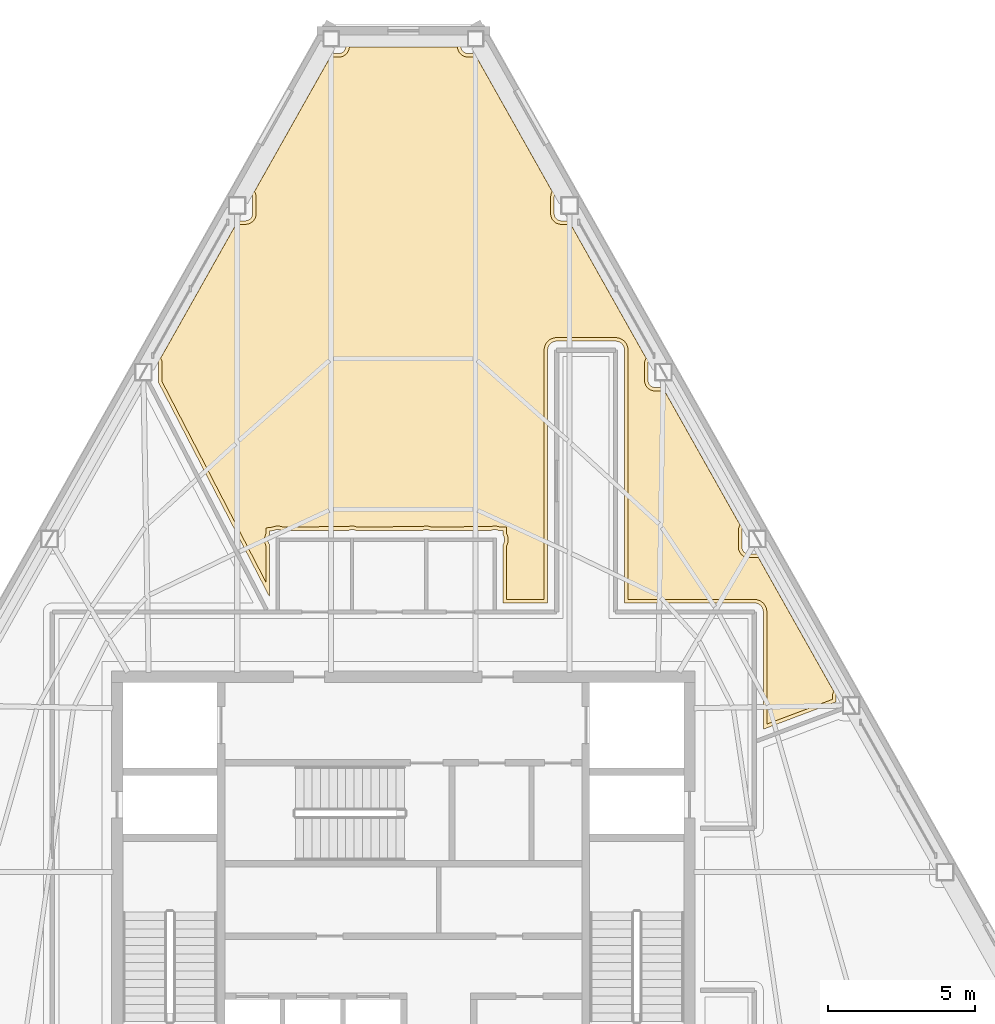
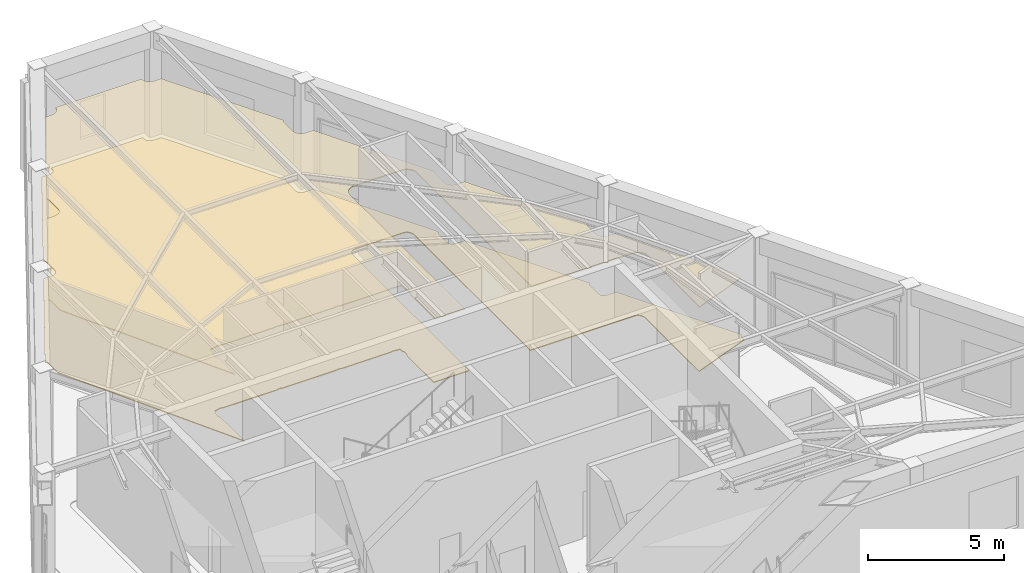
# One storey, part 15 of 15: 2 coverings.
"""IFC4 building model written with IfcOpenShell, lengths in metres."""

from ifc_helpers import new_model, si_unit, direction, frame, origin, place, context, subcontext, project, spatial, polyline, outline, extrude, material, layer, layer_set, type_object, element, save


model = new_model("IFC4")

# Units and contexts
model_context = context("Model", 3, precision=1e-05, world=origin(), true_north=direction((0.0, 1.0)))
body_context = subcontext(model_context, "Body", "Model", "MODEL_VIEW")
ifc_project = project(units=[si_unit("LENGTHUNIT", "METRE"), si_unit("AREAUNIT", "SQUARE_METRE"), si_unit("VOLUMEUNIT", "CUBIC_METRE"), si_unit("PLANEANGLEUNIT", "RADIAN"), si_unit("MASSUNIT", "GRAM", prefix="KILO")], contexts=[model_context])

# Site, building, storey
site_placement = place(None, origin())
site = spatial("IfcSite", under=ifc_project, at=site_placement, CompositionType="ELEMENT")
building_placement = place(site_placement, origin())
building = spatial("IfcBuilding", under=site, at=building_placement, Name="Kavelnor Concourse Tower", CompositionType="ELEMENT")
storey_placement = place(building_placement, frame((0.0, 0.0, 304.949951171875)))
storey = spatial("IfcBuildingStorey", under=building, at=storey_placement, Name="L77", CompositionType="ELEMENT", Elevation=304.949951171875)

# Coverings
ifc_material_1 = material(Name="Mineral fibre acoustic ceiling tile")
ifc_layer_1 = layer(ifc_material_1, 0.0400390625, Name="Mineral fibre acoustic ceiling tile")
ifc_layer_set_1 = layer_set([ifc_layer_1], Name="Mineral fibre acoustic ceiling tile")
covering_type_1 = type_object("IfcCoveringType", Name="COV-CEILING-ACOUSTIC", PredefinedType="CEILING", material=ifc_layer_set_1)
covering_1_placement = place(storey_placement, frame((0.0, 0.0, 2.75)))
element("IfcCovering", 1, at=covering_1_placement, inside=storey, type_object=covering_type_1, Name="L77 Suspended Acoustic Ceiling", PredefinedType="CEILING", context=body_context, shape_type="SweptSolid", body=[
    extrude(outline(polyline([(32.323486328125, 38.142333984375), (32.65087890625, 38.142333984375), (32.677734375, 38.143798828125), (32.712890625, 38.14892578125), (32.7470703125, 38.157470703125), (32.780517578125, 38.16943359375), (32.8125, 38.1845703125), (32.8427734375, 38.20263671875), (32.87109375, 38.223876953125), (32.897216796875, 38.24755859375), (32.921142578125, 38.273681640625), (32.942138671875, 38.30224609375), (32.96044921875, 38.33251953125), (32.9755859375, 38.364501953125), (32.9873046875, 38.397705078125), (32.99609375, 38.43212890625), (33.001220703125, 38.467041015625), (33.00244140625, 38.494140625), (33.00244140625, 39.07080078125), (33.001220703125, 39.09765625), (32.99609375, 39.1328125), (32.9873046875, 39.1669921875), (32.9755859375, 39.2001953125), (32.96044921875, 39.232421875), (32.948486328125, 39.252197265625), (35.51953125, 43.8173828125), (35.81591796875, 43.8173828125), (35.8427734375, 43.818603515625), (35.877685546875, 43.82373046875), (35.912109375, 43.83251953125), (35.9453125, 43.84423828125), (35.977294921875, 43.859375), (36.0078125, 43.877685546875), (36.0361328125, 43.898681640625), (36.062255859375, 43.922607421875), (36.086181640625, 43.94873046875), (36.107177734375, 43.97705078125), (36.12548828125, 44.00732421875), (36.140380859375, 44.039306640625), (36.15234375, 44.07275390625), (36.160888671875, 44.10693359375), (36.166259765625, 44.14208984375), (36.1669921875, 44.1572265625), (39.8330078125, 44.1572265625), (39.833740234375, 44.14208984375), (39.839111328125, 44.10693359375), (39.84765625, 44.07275390625), (39.859619140625, 44.039306640625), (39.87451171875, 44.00732421875), (39.892822265625, 43.97705078125), (39.913818359375, 43.94873046875), (39.937744140625, 43.922607421875), (39.9638671875, 43.898681640625), (39.9921875, 43.877685546875), (40.022705078125, 43.859375), (40.0546875, 43.84423828125), (40.087890625, 43.83251953125), (40.122314453125, 43.82373046875), (40.1572265625, 43.818603515625), (40.18408203125, 43.8173828125), (40.48046875, 43.8173828125), (43.051513671875, 39.252197265625), (43.03955078125, 39.232177734375), (43.0244140625, 39.2001953125), (43.0126953125, 39.1669921875), (43.00390625, 39.132568359375), (42.998779296875, 39.09765625), (42.99755859375, 39.070556640625), (42.99755859375, 38.493896484375), (42.998779296875, 38.467041015625), (43.00390625, 38.431884765625), (43.0126953125, 38.397705078125), (43.0244140625, 38.364501953125), (43.03955078125, 38.33251953125), (43.057861328125, 38.302001953125), (43.078857421875, 38.273681640625), (43.102783203125, 38.24755859375), (43.12890625, 38.2236328125), (43.1572265625, 38.20263671875), (43.1875, 38.184326171875), (43.219482421875, 38.169189453125), (43.2529296875, 38.157470703125), (43.287109375, 38.148681640625), (43.322265625, 38.1435546875), (43.34912109375, 38.142333984375), (43.676513671875, 38.142333984375), (46.236572265625, 33.59716796875), (46.224609375, 33.577392578125), (46.20947265625, 33.54541015625), (46.197509765625, 33.511962890625), (46.18896484375, 33.477783203125), (46.18359375, 33.442626953125), (46.182373046875, 33.415771484375), (46.182373046875, 32.839111328125), (46.18359375, 32.81201171875), (46.18896484375, 32.777099609375), (46.197509765625, 32.742919921875), (46.20947265625, 32.70947265625), (46.224609375, 32.677490234375), (46.24267578125, 32.647216796875), (46.263916015625, 32.618896484375), (46.28759765625, 32.592529296875), (46.313720703125, 32.56884765625), (46.34228515625, 32.547607421875), (46.37255859375, 32.529541015625), (46.404541015625, 32.514404296875), (46.437744140625, 32.50244140625), (46.47216796875, 32.493896484375), (46.507080078125, 32.48876953125), (46.5341796875, 32.4873046875), (46.861572265625, 32.4873046875), (49.42138671875, 27.942138671875), (49.409423828125, 27.92236328125), (49.394287109375, 27.890380859375), (49.382568359375, 27.85693359375), (49.373779296875, 27.82275390625), (49.36865234375, 27.78759765625), (49.367431640625, 27.7607421875), (49.367431640625, 27.18408203125), (49.36865234375, 27.156982421875), (49.373779296875, 27.1220703125), (49.382568359375, 27.087890625), (49.394287109375, 27.054443359375), (49.409423828125, 27.0224609375), (49.427734375, 26.9921875), (49.44873046875, 26.9638671875), (49.47265625, 26.9375), (49.498779296875, 26.913818359375), (49.527099609375, 26.892578125), (49.5576171875, 26.87451171875), (49.589599609375, 26.859375), (49.622802734375, 26.847412109375), (49.656982421875, 26.8388671875), (49.692138671875, 26.833740234375), (49.718994140625, 26.83251953125), (50.046630859375, 26.83251953125), (52.6064453125, 22.287353515625), (52.594482421875, 22.267333984375), (52.579345703125, 22.2353515625), (52.5673828125, 22.2021484375), (52.558837890625, 22.167724609375), (52.5537109375, 22.1328125), (52.552490234375, 22.105712890625), (52.552490234375, 22.02001953125), (50.33251953125, 21.1845703125), (50.33251953125, 24.998291015625), (50.330810546875, 25.031494140625), (50.32470703125, 25.072509765625), (50.314697265625, 25.11279296875), (50.30078125, 25.15185546875), (50.282958984375, 25.189453125), (50.26171875, 25.22509765625), (50.23681640625, 25.25830078125), (50.208984375, 25.2890625), (50.17822265625, 25.31689453125), (50.14501953125, 25.341552734375), (50.109375, 25.363037109375), (50.07177734375, 25.380615234375), (50.03271484375, 25.394775390625), (49.992431640625, 25.40478515625), (49.951416015625, 25.410888671875), (49.918212890625, 25.41259765625), (45.62255859375, 25.41259765625), (45.62255859375, 33.882080078125), (45.620849609375, 33.915283203125), (45.61474609375, 33.956298828125), (45.604736328125, 33.99658203125), (45.5908203125, 34.03564453125), (45.572998046875, 34.0732421875), (45.551513671875, 34.10888671875), (45.52685546875, 34.14208984375), (45.4990234375, 34.1728515625), (45.46826171875, 34.20068359375), (45.43505859375, 34.225341796875), (45.3994140625, 34.246826171875), (45.36181640625, 34.264404296875), (45.32275390625, 34.278564453125), (45.282470703125, 34.28857421875), (45.241455078125, 34.294677734375), (45.208251953125, 34.29638671875), (43.191650390625, 34.29638671875), (43.158447265625, 34.294677734375), (43.117431640625, 34.28857421875), (43.0771484375, 34.278564453125), (43.0380859375, 34.264404296875), (43.00048828125, 34.246826171875), (42.965087890625, 34.225341796875), (42.931640625, 34.20068359375), (42.90087890625, 34.1728515625), (42.873046875, 34.14208984375), (42.848388671875, 34.10888671875), (42.826904296875, 34.0732421875), (42.809326171875, 34.03564453125), (42.79541015625, 33.99658203125), (42.78515625, 33.956298828125), (42.779052734375, 33.915283203125), (42.777587890625, 33.882080078125), (42.777587890625, 25.41259765625), (41.5048828125, 25.41259765625), (41.5048828125, 27.24462890625), (41.507568359375, 27.248779296875), (41.524658203125, 27.284912109375), (41.5380859375, 27.322265625), (41.547607421875, 27.36083984375), (41.553466796875, 27.400390625), (41.555419921875, 27.43994140625), (41.553466796875, 27.479736328125), (41.547607421875, 27.51904296875), (41.5380859375, 27.5576171875), (41.524658203125, 27.59521484375), (41.507568359375, 27.631103515625), (41.49951171875, 27.644287109375), (41.498779296875, 27.8798828125), (41.239990234375, 27.8798828125), (41.2177734375, 27.887939453125), (41.17919921875, 27.897705078125), (41.1396484375, 27.903564453125), (41.10009765625, 27.905517578125), (41.060302734375, 27.903564453125), (41.02099609375, 27.897705078125), (40.982421875, 27.887939453125), (40.96337890625, 27.881103515625), (38.919921875, 27.8798828125), (38.897705078125, 27.887939453125), (38.859130859375, 27.897705078125), (38.819580078125, 27.903564453125), (38.780029296875, 27.905517578125), (38.740234375, 27.903564453125), (38.700927734375, 27.897705078125), (38.662353515625, 27.887939453125), (38.643310546875, 27.881103515625), (36.39990234375, 27.8798828125), (36.377685546875, 27.887939453125), (36.339111328125, 27.897705078125), (36.2998046875, 27.903564453125), (36.260009765625, 27.905517578125), (36.22021484375, 27.903564453125), (36.180908203125, 27.897705078125), (36.142333984375, 27.887939453125), (36.123291015625, 27.881103515625), (33.8798828125, 27.8798828125), (33.857666015625, 27.887939453125), (33.819091796875, 27.897705078125), (33.77978515625, 27.903564453125), (33.739990234375, 27.905517578125), (33.7001953125, 27.903564453125), (33.660888671875, 27.897705078125), (33.622314453125, 27.887939453125), (33.5849609375, 27.87451171875), (33.573486328125, 27.869140625), (33.340087890625, 27.839599609375), (33.340087890625, 27.643798828125), (33.33251953125, 27.631103515625), (33.3154296875, 27.59521484375), (33.302001953125, 27.5576171875), (33.29248046875, 27.51904296875), (33.28662109375, 27.479736328125), (33.28466796875, 27.43994140625), (33.28662109375, 27.400390625), (33.29248046875, 27.36083984375), (33.302001953125, 27.322265625), (33.3154296875, 27.284912109375), (33.33251953125, 27.248779296875), (33.3349609375, 27.24462890625), (33.3349609375, 26.005615234375), (29.814453125, 32.80029296875), (29.81640625, 32.81201171875), (29.817626953125, 32.839111328125), (29.817626953125, 33.415771484375), (29.81640625, 33.442626953125), (29.81103515625, 33.477783203125), (29.802490234375, 33.511962890625), (29.79052734375, 33.54541015625), (29.775390625, 33.577392578125), (29.763427734375, 33.59716796875), (32.323486328125, 38.142333984375)])), origin(), (0.0, 0.0, 1.0), 0.0400390625),
])
ifc_material_2 = material(Name="Honed bluestone and raised access floor finish", Category="masonry")
ifc_layer_2 = layer(ifc_material_2, 0.0400390625, Name="Honed bluestone and raised access floor finish")
ifc_layer_set_2 = layer_set([ifc_layer_2], Name="Honed bluestone and raised access floor finish")
covering_type_2 = type_object("IfcCoveringType", Name="COV-FLOOR-STONE", PredefinedType="FLOORING", material=ifc_layer_set_2)
covering_2_placement = place(storey_placement, frame((0.0, 0.0, 0.001953125)))
element("IfcCovering", 2, at=covering_2_placement, inside=storey, type_object=covering_type_2, Name="L77 Honed Bluestone Floor Finish", PredefinedType="FLOORING", context=body_context, shape_type="SweptSolid", body=[
    extrude(outline(polyline([(32.25341796875, 38.262451171875), (32.64794921875, 38.262451171875), (32.666015625, 38.26318359375), (32.689453125, 38.266845703125), (32.712158203125, 38.2724609375), (32.734375, 38.280517578125), (32.755859375, 38.29052734375), (32.77587890625, 38.302490234375), (32.794921875, 38.316650390625), (32.8125, 38.33251953125), (32.828125, 38.35009765625), (32.84228515625, 38.368896484375), (32.8544921875, 38.38916015625), (32.864501953125, 38.410400390625), (32.872314453125, 38.4326171875), (32.878173828125, 38.45556640625), (32.881591796875, 38.478759765625), (32.882568359375, 38.4970703125), (32.882568359375, 39.06787109375), (32.881591796875, 39.0859375), (32.878173828125, 39.109375), (32.872314453125, 39.132080078125), (32.864501953125, 39.154296875), (32.8544921875, 39.17578125), (32.84228515625, 39.19580078125), (32.828125, 39.21484375), (32.8125, 39.232421875), (32.803955078125, 39.239990234375), (35.449462890625, 43.937255859375), (35.81298828125, 43.937255859375), (35.8310546875, 43.938232421875), (35.8544921875, 43.941650390625), (35.877197265625, 43.947509765625), (35.8994140625, 43.955322265625), (35.9208984375, 43.96533203125), (35.94091796875, 43.9775390625), (35.9599609375, 43.99169921875), (35.977294921875, 44.00732421875), (35.9931640625, 44.02490234375), (36.00732421875, 44.043701171875), (36.019287109375, 44.06396484375), (36.029541015625, 44.08544921875), (36.037353515625, 44.107666015625), (36.043212890625, 44.13037109375), (36.046630859375, 44.15380859375), (36.047607421875, 44.171875), (36.047607421875, 44.27734375), (39.952392578125, 44.27734375), (39.952392578125, 44.171875), (39.953369140625, 44.15380859375), (39.956787109375, 44.13037109375), (39.962646484375, 44.107666015625), (39.970458984375, 44.08544921875), (39.980712890625, 44.06396484375), (39.99267578125, 44.043701171875), (40.0068359375, 44.02490234375), (40.022705078125, 44.00732421875), (40.0400390625, 43.99169921875), (40.05908203125, 43.9775390625), (40.0791015625, 43.96533203125), (40.1005859375, 43.955322265625), (40.122802734375, 43.947509765625), (40.1455078125, 43.941650390625), (40.1689453125, 43.938232421875), (40.18701171875, 43.937255859375), (40.550537109375, 43.937255859375), (43.1962890625, 39.239990234375), (43.1875, 39.232177734375), (43.171875, 39.214599609375), (43.15771484375, 39.19580078125), (43.1455078125, 39.175537109375), (43.135498046875, 39.154296875), (43.127685546875, 39.132080078125), (43.121826171875, 39.109130859375), (43.118408203125, 39.0859375), (43.117431640625, 39.067626953125), (43.117431640625, 38.496826171875), (43.118408203125, 38.478759765625), (43.121826171875, 38.455322265625), (43.127685546875, 38.4326171875), (43.135498046875, 38.410400390625), (43.1455078125, 38.388916015625), (43.15771484375, 38.368896484375), (43.171875, 38.349853515625), (43.1875, 38.33251953125), (43.205078125, 38.316650390625), (43.22412109375, 38.302490234375), (43.244140625, 38.290283203125), (43.265625, 38.2802734375), (43.287841796875, 38.2724609375), (43.310546875, 38.2666015625), (43.333984375, 38.26318359375), (43.35205078125, 38.26220703125), (43.746826171875, 38.26220703125), (46.381103515625, 33.585205078125), (46.37255859375, 33.577392578125), (46.356689453125, 33.559814453125), (46.342529296875, 33.541015625), (46.33056640625, 33.520751953125), (46.3203125, 33.499267578125), (46.3125, 33.47705078125), (46.306884765625, 33.454345703125), (46.30322265625, 33.430908203125), (46.302490234375, 33.412841796875), (46.302490234375, 32.842041015625), (46.30322265625, 32.82373046875), (46.306884765625, 32.800537109375), (46.3125, 32.777587890625), (46.3203125, 32.755615234375), (46.33056640625, 32.734130859375), (46.342529296875, 32.7138671875), (46.356689453125, 32.695068359375), (46.37255859375, 32.677490234375), (46.389892578125, 32.66162109375), (46.408935546875, 32.647705078125), (46.42919921875, 32.635498046875), (46.450439453125, 32.62548828125), (46.47265625, 32.617431640625), (46.49560546875, 32.61181640625), (46.518798828125, 32.6083984375), (46.537109375, 32.607421875), (46.931640625, 32.607421875), (49.566162109375, 27.93017578125), (49.5576171875, 27.92236328125), (49.541748046875, 27.90478515625), (49.527587890625, 27.885986328125), (49.515380859375, 27.86572265625), (49.50537109375, 27.84423828125), (49.49755859375, 27.822021484375), (49.49169921875, 27.79931640625), (49.48828125, 27.77587890625), (49.4873046875, 27.7578125), (49.4873046875, 27.18701171875), (49.48828125, 27.168701171875), (49.49169921875, 27.1455078125), (49.49755859375, 27.122802734375), (49.50537109375, 27.1005859375), (49.515380859375, 27.0791015625), (49.527587890625, 27.058837890625), (49.541748046875, 27.0400390625), (49.5576171875, 27.0224609375), (49.574951171875, 27.006591796875), (49.593994140625, 26.99267578125), (49.614013671875, 26.98046875), (49.635498046875, 26.970458984375), (49.65771484375, 26.96240234375), (49.680419921875, 26.956787109375), (49.703857421875, 26.953369140625), (49.721923828125, 26.952392578125), (50.11669921875, 26.952392578125), (52.7509765625, 22.275146484375), (52.742431640625, 22.267333984375), (52.726806640625, 22.25), (52.712646484375, 22.23095703125), (52.700439453125, 22.210693359375), (52.6904296875, 22.189453125), (52.6826171875, 22.167236328125), (52.6767578125, 22.144287109375), (52.67333984375, 22.12109375), (52.67236328125, 22.102783203125), (52.67236328125, 21.93701171875), (50.21240234375, 21.01123046875), (50.21240234375, 24.995361328125), (50.211181640625, 25.019775390625), (50.206787109375, 25.049072265625), (50.19970703125, 25.077880859375), (50.189697265625, 25.10595703125), (50.177001953125, 25.1328125), (50.16162109375, 25.158203125), (50.14404296875, 25.18212890625), (50.1240234375, 25.2041015625), (50.10205078125, 25.22412109375), (50.078125, 25.24169921875), (50.052734375, 25.257080078125), (50.02587890625, 25.269775390625), (49.997802734375, 25.27978515625), (49.968994140625, 25.286865234375), (49.939697265625, 25.291259765625), (49.915283203125, 25.29248046875), (45.50244140625, 25.29248046875), (45.50244140625, 33.879150390625), (45.501220703125, 33.903564453125), (45.496826171875, 33.932861328125), (45.48974609375, 33.961669921875), (45.479736328125, 33.98974609375), (45.467041015625, 34.0166015625), (45.45166015625, 34.0419921875), (45.43408203125, 34.06591796875), (45.4140625, 34.087890625), (45.39208984375, 34.10791015625), (45.3681640625, 34.12548828125), (45.3427734375, 34.140869140625), (45.31591796875, 34.153564453125), (45.287841796875, 34.16357421875), (45.259033203125, 34.170654296875), (45.229736328125, 34.175048828125), (45.205322265625, 34.17626953125), (43.194580078125, 34.17626953125), (43.17041015625, 34.175048828125), (43.140869140625, 34.170654296875), (43.112060546875, 34.16357421875), (43.083984375, 34.153564453125), (43.057373046875, 34.140869140625), (43.03173828125, 34.12548828125), (43.0078125, 34.10791015625), (42.98583984375, 34.087890625), (42.966064453125, 34.06591796875), (42.9482421875, 34.0419921875), (42.93310546875, 34.0166015625), (42.92041015625, 33.98974609375), (42.910400390625, 33.961669921875), (42.903076171875, 33.932861328125), (42.898681640625, 33.903564453125), (42.8974609375, 33.879150390625), (42.8974609375, 25.29248046875), (41.385009765625, 25.29248046875), (41.385009765625, 27.278564453125), (41.38720703125, 27.281494140625), (41.401611328125, 27.305419921875), (41.41357421875, 27.330810546875), (41.423095703125, 27.357177734375), (41.4296875, 27.38427734375), (41.433837890625, 27.412109375), (41.435302734375, 27.43994140625), (41.433837890625, 27.468017578125), (41.4296875, 27.49560546875), (41.423095703125, 27.522705078125), (41.41357421875, 27.54931640625), (41.401611328125, 27.574462890625), (41.38720703125, 27.598388671875), (41.3798828125, 27.6083984375), (41.379150390625, 27.760009765625), (41.216796875, 27.760009765625), (41.209228515625, 27.763671875), (41.182861328125, 27.77294921875), (41.15576171875, 27.77978515625), (41.1279296875, 27.783935546875), (41.10009765625, 27.785400390625), (41.072021484375, 27.783935546875), (41.044189453125, 27.77978515625), (41.01708984375, 27.77294921875), (40.99072265625, 27.763671875), (40.98583984375, 27.76123046875), (38.896484375, 27.760009765625), (38.88916015625, 27.763671875), (38.86279296875, 27.77294921875), (38.835693359375, 27.77978515625), (38.80810546875, 27.783935546875), (38.780029296875, 27.785400390625), (38.751953125, 27.783935546875), (38.724365234375, 27.77978515625), (38.697265625, 27.77294921875), (38.6708984375, 27.763671875), (38.666015625, 27.76123046875), (36.376708984375, 27.760009765625), (36.369140625, 27.763671875), (36.3427734375, 27.77294921875), (36.315673828125, 27.77978515625), (36.2880859375, 27.783935546875), (36.260009765625, 27.785400390625), (36.23193359375, 27.783935546875), (36.204345703125, 27.77978515625), (36.17724609375, 27.77294921875), (36.15087890625, 27.763671875), (36.14599609375, 27.76123046875), (33.856689453125, 27.760009765625), (33.84912109375, 27.763671875), (33.82275390625, 27.77294921875), (33.795654296875, 27.77978515625), (33.76806640625, 27.783935546875), (33.739990234375, 27.785400390625), (33.7119140625, 27.783935546875), (33.684326171875, 27.77978515625), (33.6572265625, 27.77294921875), (33.630859375, 27.763671875), (33.607666015625, 27.752685546875), (33.4599609375, 27.73388671875), (33.4599609375, 27.608154296875), (33.452880859375, 27.598388671875), (33.4384765625, 27.574462890625), (33.426513671875, 27.54931640625), (33.4169921875, 27.522705078125), (33.41015625, 27.49560546875), (33.406005859375, 27.468017578125), (33.40478515625, 27.43994140625), (33.406005859375, 27.412109375), (33.41015625, 27.38427734375), (33.4169921875, 27.357177734375), (33.426513671875, 27.330810546875), (33.4384765625, 27.305419921875), (33.452880859375, 27.281494140625), (33.455078125, 27.278564453125), (33.455078125, 25.51318359375), (29.688720703125, 32.7822265625), (29.693115234375, 32.800537109375), (29.69677734375, 32.82373046875), (29.697509765625, 32.842041015625), (29.697509765625, 33.412841796875), (29.69677734375, 33.430908203125), (29.693115234375, 33.454345703125), (29.6875, 33.47705078125), (29.6796875, 33.499267578125), (29.66943359375, 33.520751953125), (29.657470703125, 33.541015625), (29.643310546875, 33.559814453125), (29.62744140625, 33.577392578125), (29.618896484375, 33.585205078125), (32.25341796875, 38.262451171875)])), origin(), (0.0, 0.0, 1.0), 0.0400390625),
])

save(model, "model.ifc")
